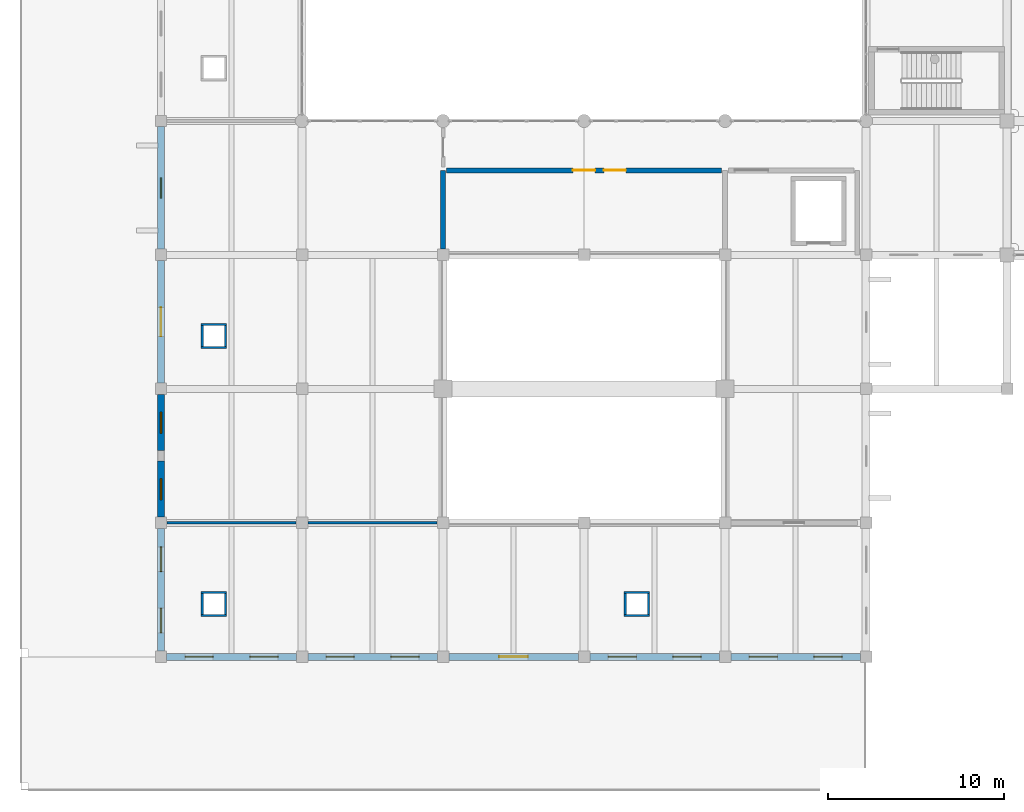
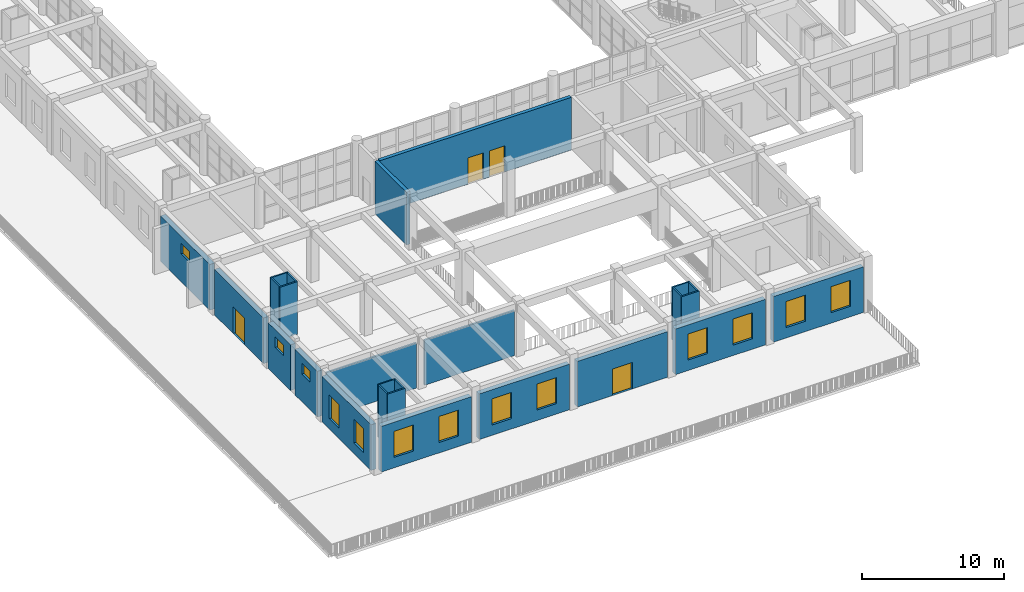
# One storey, part 71 of 101: 26 walls, 13 windows, 4 doors, 17 openings.
"""IFC4 building model written with IfcOpenShell, lengths in metres."""

from ifc_helpers import new_model, si_unit, direction, frame, frame_2d, origin, place, context, subcontext, project, spatial, rectangle, extrude, material, layer, layer_set, type_object, element, fill, save


model = new_model("IFC4")

# Units and contexts
model_context = context("Model", 3, precision=1e-05, world=origin(), true_north=direction((0.0, 1.0)))
body_context = subcontext(model_context, "Body", "Model", "MODEL_VIEW")
ifc_project = project(units=[si_unit("LENGTHUNIT", "METRE"), si_unit("AREAUNIT", "SQUARE_METRE"), si_unit("VOLUMEUNIT", "CUBIC_METRE"), si_unit("PLANEANGLEUNIT", "RADIAN"), si_unit("MASSUNIT", "GRAM", prefix="KILO")], contexts=[model_context])

# Site, building, storey
site_placement = place(None, origin())
site = spatial("IfcSite", under=ifc_project, at=site_placement, CompositionType="ELEMENT")
building_placement = place(site_placement, origin())
building = spatial("IfcBuilding", under=site, at=building_placement, Name="Zantavel Square City Hall", CompositionType="ELEMENT")
storey_placement = place(building_placement, frame((0.0, 0.0, 5.39990234375)))
storey = spatial("IfcBuildingStorey", under=building, at=storey_placement, Name="L02", CompositionType="ELEMENT", Elevation=5.39990234375)

# Wall
ifc_material_1 = material(Name="Concrete C35/45", Category="concrete")
ifc_layer_1 = layer(ifc_material_1, 0.280029296875, Name="Concrete C35/45")
ifc_layer_set_1 = layer_set([ifc_layer_1], Name="Concrete C35/45")
wall_type_1 = type_object("IfcWallType", Name="Archive & Substation Vault Wall 280mm", PredefinedType="STANDARD", material=ifc_layer_set_1)
wall_1_placement = place(storey_placement, frame((24.0, 30.735107421875, 0.0), z_axis=(0.0, 0.0, 1.0), x_axis=(0.0, 1.0, 0.0)))
element("IfcWall", 1, at=wall_1_placement, inside=storey, type_object=wall_type_1, Name="L02 Interior Wall IW-L02-0181", PredefinedType="STANDARD", context=body_context, shape_type="SweptSolid", body=[
    extrude(rectangle(XDim=4.46484375, YDim=0.280029296875, at=frame_2d((2.232421875, 0.0))), origin(), (0.0, 0.0, 1.0), 4.5400390625),
])

# Wall, openings, doors
wall_2_placement = place(storey_placement, frame((24.18994140625, 35.199951171875, 0.0), z_axis=(0.0, 0.0, 1.0), x_axis=(1.0, 0.0, 0.0)))
wall_2 = element("IfcWall", 2, at=wall_2_placement, inside=storey, type_object=wall_type_1, Name="L02 Interior Wall IW-L02-0182", PredefinedType="STANDARD", context=body_context, shape_type="SweptSolid", body=[
    extrude(rectangle(XDim=15.6201171875, YDim=0.280029296875, at=frame_2d((7.81005859375, 0.0))), origin(), (0.0, 0.0, 1.0), 4.5400390625),
])
opening_1_placement = place(wall_2_placement, frame((7.179931640625, 0.0, 0.0)))
opening_1 = element("IfcOpeningElement", 3, at=opening_1_placement, cuts=wall_2, Name="Opening D-0082", PredefinedType="OPENING", context=body_context, shape_type="SweptSolid", body=[
    extrude(rectangle(XDim=1.260009765625, YDim=2.260009765625, at=frame_2d((0.6298828125, 1.1298828125))), frame((0.0, 0.14990234375, 0.0), z_axis=(0.0, -1.0, 0.0), x_axis=(1.0, 0.0, 0.0)), (0.0, 0.0, 1.0), 0.300048828125),
])
opening_2_placement = place(wall_2_placement, frame((8.929931640625, 0.0, 0.0)))
opening_2 = element("IfcOpeningElement", 4, at=opening_2_placement, cuts=wall_2, Name="Opening D-0103", PredefinedType="OPENING", context=body_context, shape_type="SweptSolid", body=[
    extrude(rectangle(XDim=1.260009765625, YDim=2.260009765625, at=frame_2d((0.6298828125, 1.1298828125))), frame((0.0, 0.14990234375, 0.0), z_axis=(0.0, -1.0, 0.0), x_axis=(1.0, 0.0, 0.0)), (0.0, 0.0, 1.0), 0.300048828125),
])
ifc_material_2 = material(Name="Steel ASTM A500 Grade B", Category="steel")
door_type_1 = type_object("IfcDoorType", Name="Archive Conservation Fire Door 1260x2260 FD90S", OperationType="NOTDEFINED", PredefinedType="DOOR", material=ifc_material_2)
door_1_placement = place(opening_1_placement, origin())
door_1 = element("IfcDoor", 5, at=door_1_placement, inside=storey, type_object=door_type_1, Name="L02 Archive Digitization and Conservation Lab Door", OperationType="SINGLE_SWING_RIGHT", OverallHeight=2.260009765625, OverallWidth=1.260009765625, PredefinedType="DOOR", context=body_context, shape_type="SweptSolid", body=[
    extrude(rectangle(XDim=1.260009765625, YDim=2.260009765625, at=frame_2d((0.6298828125, 1.1298828125))), frame((0.0, 0.02490234375, 0.0), z_axis=(0.0, -1.0, 0.0), x_axis=(1.0, 0.0, 0.0)), (0.0, 0.0, 1.0), 0.050048828125),
])
fill(opening_1, door_1)
door_2_placement = place(opening_2_placement, origin())
door_2 = element("IfcDoor", 6, at=door_2_placement, inside=storey, type_object=door_type_1, Name="L02 Archive Digitization and Conservation Lab Door", OperationType="SINGLE_SWING_LEFT", OverallHeight=2.260009765625, OverallWidth=1.260009765625, PredefinedType="DOOR", context=body_context, shape_type="SweptSolid", body=[
    extrude(rectangle(XDim=1.260009765625, YDim=2.260009765625, at=frame_2d((0.6298828125, 1.1298828125))), frame((0.0, 0.02490234375, 0.0), z_axis=(0.0, -1.0, 0.0), x_axis=(1.0, 0.0, 0.0)), (0.0, 0.0, 1.0), 0.050048828125),
])
fill(opening_2, door_2)

# Wall, openings, windows
ifc_material_3 = material(Name="Cantera volcanic tuff stone", Category="masonry")
ifc_layer_2 = layer(ifc_material_3, 0.39990234375, Name="Cantera volcanic tuff stone")
ifc_layer_set_2 = layer_set([ifc_layer_2], Name="Cantera volcanic tuff stone")
wall_type_2 = type_object("IfcWallType", Name="Civic Pavilion Cantera Ashlar Wall 400mm", PredefinedType="STANDARD", material=ifc_layer_set_2)
wall_3_placement = place(storey_placement, frame((47.675048828125, 7.60009765625, 0.0), z_axis=(0.0, 0.0, 1.0), x_axis=(-1.0, 0.0, 0.0)))
wall_3 = element("IfcWall", 7, at=wall_3_placement, inside=storey, type_object=wall_type_2, Name="L02 Exterior Wall EW-L02-082", PredefinedType="STANDARD", context=body_context, shape_type="SweptSolid", body=[
    extrude(rectangle(XDim=7.35009765625, YDim=0.39990234375, at=frame_2d((3.675048828125, 0.0))), origin(), (0.0, 0.0, 1.0), 3.940185546875),
])
opening_3_placement = place(wall_3_placement, frame((1.03759765625, 0.0, 0.89990234375)))
opening_3 = element("IfcOpeningElement", 8, at=opening_3_placement, cuts=wall_3, Name="Opening W-263", PredefinedType="OPENING", context=body_context, shape_type="SweptSolid", body=[
    extrude(rectangle(XDim=1.60009765625, YDim=2.25, at=frame_2d((0.800048828125, 1.125))), frame((0.0, 0.2099609375, 0.0), z_axis=(0.0, -1.0, 0.0), x_axis=(1.0, 0.0, 0.0)), (0.0, 0.0, 1.0), 0.419921875),
])
opening_4_placement = place(wall_3_placement, frame((4.71240234375, 0.0, 0.89990234375)))
opening_4 = element("IfcOpeningElement", 9, at=opening_4_placement, cuts=wall_3, Name="Opening W-264", PredefinedType="OPENING", context=body_context, shape_type="SweptSolid", body=[
    extrude(rectangle(XDim=1.60009765625, YDim=2.25, at=frame_2d((0.800048828125, 1.125))), frame((0.0, 0.2099609375, 0.0), z_axis=(0.0, -1.0, 0.0), x_axis=(1.0, 0.0, 0.0)), (0.0, 0.0, 1.0), 0.419921875),
])
ifc_material_4 = material(Name="Tempered safety glass low-E double glazing", Category="glass")
window_type_1 = type_object("IfcWindowType", Name="Window Mezzanine Civic 1600x2250", PartitioningType="DOUBLE_PANEL_VERTICAL", PredefinedType="WINDOW", material=ifc_material_4)
window_1_placement = place(opening_3_placement, origin())
window_1 = element("IfcWindow", 10, at=window_1_placement, inside=storey, type_object=window_type_1, Name="L02 Window W-263", OverallHeight=2.25, OverallWidth=1.60009765625, PartitioningType="DOUBLE_PANEL_VERTICAL", PredefinedType="WINDOW", context=body_context, shape_type="SweptSolid", body=[
    extrude(rectangle(XDim=1.60009765625, YDim=2.25, at=frame_2d((0.800048828125, 1.125))), frame((0.0, 0.030029296875, 0.0), z_axis=(0.0, -1.0, 0.0), x_axis=(1.0, 0.0, 0.0)), (0.0, 0.0, 1.0), 0.06005859375),
])
fill(opening_3, window_1)
window_2_placement = place(opening_4_placement, origin())
window_2 = element("IfcWindow", 11, at=window_2_placement, inside=storey, type_object=window_type_1, Name="L02 Window W-264", OverallHeight=2.25, OverallWidth=1.60009765625, PartitioningType="DOUBLE_PANEL_VERTICAL", PredefinedType="WINDOW", context=body_context, shape_type="SweptSolid", body=[
    extrude(rectangle(XDim=1.60009765625, YDim=2.25, at=frame_2d((0.800048828125, 1.125))), frame((0.0, 0.030029296875, 0.0), z_axis=(0.0, -1.0, 0.0), x_axis=(1.0, 0.0, 0.0)), (0.0, 0.0, 1.0), 0.06005859375),
])
fill(opening_4, window_2)

wall_4_placement = place(storey_placement, frame((39.675048828125, 7.60009765625, 0.0), z_axis=(0.0, 0.0, 1.0), x_axis=(-1.0, 0.0, 0.0)))
wall_4 = element("IfcWall", 12, at=wall_4_placement, inside=storey, type_object=wall_type_2, Name="L02 Exterior Wall EW-L02-083", PredefinedType="STANDARD", context=body_context, shape_type="SweptSolid", body=[
    extrude(rectangle(XDim=7.35009765625, YDim=0.39990234375, at=frame_2d((3.675048828125, 0.0))), origin(), (0.0, 0.0, 1.0), 3.940185546875),
])
opening_5_placement = place(wall_4_placement, frame((1.03759765625, 0.0, 0.89990234375)))
opening_5 = element("IfcOpeningElement", 13, at=opening_5_placement, cuts=wall_4, Name="Opening W-265", PredefinedType="OPENING", context=body_context, shape_type="SweptSolid", body=[
    extrude(rectangle(XDim=1.60009765625, YDim=2.25, at=frame_2d((0.800048828125, 1.125))), frame((0.0, 0.2099609375, 0.0), z_axis=(0.0, -1.0, 0.0), x_axis=(1.0, 0.0, 0.0)), (0.0, 0.0, 1.0), 0.419921875),
])
opening_6_placement = place(wall_4_placement, frame((4.71240234375, 0.0, 0.89990234375)))
opening_6 = element("IfcOpeningElement", 14, at=opening_6_placement, cuts=wall_4, Name="Opening W-266", PredefinedType="OPENING", context=body_context, shape_type="SweptSolid", body=[
    extrude(rectangle(XDim=1.60009765625, YDim=2.25, at=frame_2d((0.800048828125, 1.125))), frame((0.0, 0.2099609375, 0.0), z_axis=(0.0, -1.0, 0.0), x_axis=(1.0, 0.0, 0.0)), (0.0, 0.0, 1.0), 0.419921875),
])
window_3_placement = place(opening_5_placement, origin())
window_3 = element("IfcWindow", 15, at=window_3_placement, inside=storey, type_object=window_type_1, Name="L02 Window W-265", OverallHeight=2.25, OverallWidth=1.60009765625, PartitioningType="DOUBLE_PANEL_VERTICAL", PredefinedType="WINDOW", context=body_context, shape_type="SweptSolid", body=[
    extrude(rectangle(XDim=1.60009765625, YDim=2.25, at=frame_2d((0.800048828125, 1.125))), frame((0.0, 0.030029296875, 0.0), z_axis=(0.0, -1.0, 0.0), x_axis=(1.0, 0.0, 0.0)), (0.0, 0.0, 1.0), 0.06005859375),
])
fill(opening_5, window_3)
window_4_placement = place(opening_6_placement, origin())
window_4 = element("IfcWindow", 16, at=window_4_placement, inside=storey, type_object=window_type_1, Name="L02 Window W-266", OverallHeight=2.25, OverallWidth=1.60009765625, PartitioningType="DOUBLE_PANEL_VERTICAL", PredefinedType="WINDOW", context=body_context, shape_type="SweptSolid", body=[
    extrude(rectangle(XDim=1.60009765625, YDim=2.25, at=frame_2d((0.800048828125, 1.125))), frame((0.0, 0.030029296875, 0.0), z_axis=(0.0, -1.0, 0.0), x_axis=(1.0, 0.0, 0.0)), (0.0, 0.0, 1.0), 0.06005859375),
])
fill(opening_6, window_4)

# Wall, opening, door
wall_5_placement = place(storey_placement, frame((31.675048828125, 7.60009765625, 0.0), z_axis=(0.0, 0.0, 1.0), x_axis=(-1.0, 0.0, 0.0)))
wall_5 = element("IfcWall", 17, at=wall_5_placement, inside=storey, type_object=wall_type_2, Name="L02 Exterior Wall EW-L02-084", PredefinedType="STANDARD", context=body_context, shape_type="SweptSolid", body=[
    extrude(rectangle(XDim=7.35009765625, YDim=0.39990234375, at=frame_2d((3.675048828125, 0.0))), origin(), (0.0, 0.0, 1.0), 3.940185546875),
])
opening_7_placement = place(wall_5_placement, frame((2.85498046875, 0.0, 0.0)))
opening_7 = element("IfcOpeningElement", 18, at=opening_7_placement, cuts=wall_5, Name="Opening ED-021", PredefinedType="OPENING", context=body_context, shape_type="SweptSolid", body=[
    extrude(rectangle(XDim=1.639892578125, YDim=2.280029296875, at=frame_2d((0.81982421875, 1.14013671875))), frame((0.0, 0.2099609375, 0.0), z_axis=(0.0, -1.0, 0.0), x_axis=(1.0, 0.0, 0.0)), (0.0, 0.0, 1.0), 0.419921875),
])
ifc_material_5 = material(Name="Anodised aluminium 6063-T6", Category="aluminium")
door_type_2 = type_object("IfcDoorType", Name="Promenade Terrace Glazed Door 1640x2280", OperationType="NOTDEFINED", PredefinedType="DOOR", material=ifc_material_5)
door_3_placement = place(opening_7_placement, origin())
door_3 = element("IfcDoor", 19, at=door_3_placement, inside=storey, type_object=door_type_2, Name="West Promenade South Terrace Door", OperationType="DOUBLE_DOOR_SINGLE_SWING", OverallHeight=2.280029296875, OverallWidth=1.639892578125, PredefinedType="DOOR", context=body_context, shape_type="SweptSolid", body=[
    extrude(rectangle(XDim=1.639892578125, YDim=2.280029296875, at=frame_2d((0.81982421875, 1.14013671875))), frame((0.0, 0.02490234375, 0.0), z_axis=(0.0, -1.0, 0.0), x_axis=(1.0, 0.0, 0.0)), (0.0, 0.0, 1.0), 0.050048828125),
])
fill(opening_7, door_3)

# Wall, openings, windows
wall_6_placement = place(storey_placement, frame((23.675048828125, 7.60009765625, 0.0), z_axis=(0.0, 0.0, 1.0), x_axis=(-1.0, 0.0, 0.0)))
wall_6 = element("IfcWall", 20, at=wall_6_placement, inside=storey, type_object=wall_type_2, Name="L02 Exterior Wall EW-L02-085", PredefinedType="STANDARD", context=body_context, shape_type="SweptSolid", body=[
    extrude(rectangle(XDim=7.35009765625, YDim=0.39990234375, at=frame_2d((3.675048828125, 0.0))), origin(), (0.0, 0.0, 1.0), 3.940185546875),
])
opening_8_placement = place(wall_6_placement, frame((1.03759765625, 0.0, 0.89990234375)))
opening_8 = element("IfcOpeningElement", 21, at=opening_8_placement, cuts=wall_6, Name="Opening W-267", PredefinedType="OPENING", context=body_context, shape_type="SweptSolid", body=[
    extrude(rectangle(XDim=1.60009765625, YDim=2.25, at=frame_2d((0.800048828125, 1.125))), frame((0.0, 0.2099609375, 0.0), z_axis=(0.0, -1.0, 0.0), x_axis=(1.0, 0.0, 0.0)), (0.0, 0.0, 1.0), 0.419921875),
])
opening_9_placement = place(wall_6_placement, frame((4.71240234375, 0.0, 0.89990234375)))
opening_9 = element("IfcOpeningElement", 22, at=opening_9_placement, cuts=wall_6, Name="Opening W-268", PredefinedType="OPENING", context=body_context, shape_type="SweptSolid", body=[
    extrude(rectangle(XDim=1.60009765625, YDim=2.25, at=frame_2d((0.800048828125, 1.125))), frame((0.0, 0.2099609375, 0.0), z_axis=(0.0, -1.0, 0.0), x_axis=(1.0, 0.0, 0.0)), (0.0, 0.0, 1.0), 0.419921875),
])
window_5_placement = place(opening_8_placement, origin())
window_5 = element("IfcWindow", 23, at=window_5_placement, inside=storey, type_object=window_type_1, Name="L02 Window W-267", OverallHeight=2.25, OverallWidth=1.60009765625, PartitioningType="DOUBLE_PANEL_VERTICAL", PredefinedType="WINDOW", context=body_context, shape_type="SweptSolid", body=[
    extrude(rectangle(XDim=1.60009765625, YDim=2.25, at=frame_2d((0.800048828125, 1.125))), frame((0.0, 0.030029296875, 0.0), z_axis=(0.0, -1.0, 0.0), x_axis=(1.0, 0.0, 0.0)), (0.0, 0.0, 1.0), 0.06005859375),
])
fill(opening_8, window_5)
window_6_placement = place(opening_9_placement, origin())
window_6 = element("IfcWindow", 24, at=window_6_placement, inside=storey, type_object=window_type_1, Name="L02 Window W-268", OverallHeight=2.25, OverallWidth=1.60009765625, PartitioningType="DOUBLE_PANEL_VERTICAL", PredefinedType="WINDOW", context=body_context, shape_type="SweptSolid", body=[
    extrude(rectangle(XDim=1.60009765625, YDim=2.25, at=frame_2d((0.800048828125, 1.125))), frame((0.0, 0.030029296875, 0.0), z_axis=(0.0, -1.0, 0.0), x_axis=(1.0, 0.0, 0.0)), (0.0, 0.0, 1.0), 0.06005859375),
])
fill(opening_9, window_6)

wall_7_placement = place(storey_placement, frame((15.675048828125, 7.60009765625, 0.0), z_axis=(0.0, 0.0, 1.0), x_axis=(-1.0, 0.0, 0.0)))
wall_7 = element("IfcWall", 25, at=wall_7_placement, inside=storey, type_object=wall_type_2, Name="L02 Exterior Wall EW-L02-086", PredefinedType="STANDARD", context=body_context, shape_type="SweptSolid", body=[
    extrude(rectangle(XDim=7.35009765625, YDim=0.39990234375, at=frame_2d((3.675048828125, 0.0))), origin(), (0.0, 0.0, 1.0), 3.940185546875),
])
opening_10_placement = place(wall_7_placement, frame((1.03759765625, 0.0, 0.89990234375)))
opening_10 = element("IfcOpeningElement", 26, at=opening_10_placement, cuts=wall_7, Name="Opening W-269", PredefinedType="OPENING", context=body_context, shape_type="SweptSolid", body=[
    extrude(rectangle(XDim=1.60009765625, YDim=2.25, at=frame_2d((0.800048828125, 1.125))), frame((0.0, 0.2099609375, 0.0), z_axis=(0.0, -1.0, 0.0), x_axis=(1.0, 0.0, 0.0)), (0.0, 0.0, 1.0), 0.419921875),
])
opening_11_placement = place(wall_7_placement, frame((4.71240234375, 0.0, 0.89990234375)))
opening_11 = element("IfcOpeningElement", 27, at=opening_11_placement, cuts=wall_7, Name="Opening W-270", PredefinedType="OPENING", context=body_context, shape_type="SweptSolid", body=[
    extrude(rectangle(XDim=1.60009765625, YDim=2.25, at=frame_2d((0.800048828125, 1.125))), frame((0.0, 0.2099609375, 0.0), z_axis=(0.0, -1.0, 0.0), x_axis=(1.0, 0.0, 0.0)), (0.0, 0.0, 1.0), 0.419921875),
])
window_7_placement = place(opening_10_placement, origin())
window_7 = element("IfcWindow", 28, at=window_7_placement, inside=storey, type_object=window_type_1, Name="L02 Window W-269", OverallHeight=2.25, OverallWidth=1.60009765625, PartitioningType="DOUBLE_PANEL_VERTICAL", PredefinedType="WINDOW", context=body_context, shape_type="SweptSolid", body=[
    extrude(rectangle(XDim=1.60009765625, YDim=2.25, at=frame_2d((0.800048828125, 1.125))), frame((0.0, 0.030029296875, 0.0), z_axis=(0.0, -1.0, 0.0), x_axis=(1.0, 0.0, 0.0)), (0.0, 0.0, 1.0), 0.06005859375),
])
fill(opening_10, window_7)
window_8_placement = place(opening_11_placement, origin())
window_8 = element("IfcWindow", 29, at=window_8_placement, inside=storey, type_object=window_type_1, Name="L02 Window W-270", OverallHeight=2.25, OverallWidth=1.60009765625, PartitioningType="DOUBLE_PANEL_VERTICAL", PredefinedType="WINDOW", context=body_context, shape_type="SweptSolid", body=[
    extrude(rectangle(XDim=1.60009765625, YDim=2.25, at=frame_2d((0.800048828125, 1.125))), frame((0.0, 0.030029296875, 0.0), z_axis=(0.0, -1.0, 0.0), x_axis=(1.0, 0.0, 0.0)), (0.0, 0.0, 1.0), 0.06005859375),
])
fill(opening_11, window_8)

wall_8_placement = place(storey_placement, frame((8.0, 7.925048828125, 0.0), z_axis=(0.0, 0.0, 1.0), x_axis=(0.0, 1.0, 0.0)))
wall_8 = element("IfcWall", 30, at=wall_8_placement, inside=storey, type_object=wall_type_2, Name="L02 Exterior Wall EW-L02-087", PredefinedType="STANDARD", context=body_context, shape_type="SweptSolid", body=[
    extrude(rectangle(XDim=6.949951171875, YDim=0.39990234375, at=frame_2d((3.47509765625, 0.0))), origin(), (0.0, 0.0, 1.0), 3.940185546875),
])
opening_12_placement = place(wall_8_placement, frame((1.03759765625, 0.0, 0.89990234375)))
opening_12 = element("IfcOpeningElement", 31, at=opening_12_placement, cuts=wall_8, Name="Opening W-271", PredefinedType="OPENING", context=body_context, shape_type="SweptSolid", body=[
    extrude(rectangle(XDim=1.39990234375, YDim=2.050048828125, at=frame_2d((0.699951171875, 1.02490234375))), frame((0.0, 0.2099609375, 0.0), z_axis=(0.0, -1.0, 0.0), x_axis=(1.0, 0.0, 0.0)), (0.0, 0.0, 1.0), 0.419921875),
])
opening_13_placement = place(wall_8_placement, frame((4.512451171875, 0.0, 0.89990234375)))
opening_13 = element("IfcOpeningElement", 32, at=opening_13_placement, cuts=wall_8, Name="Opening W-272", PredefinedType="OPENING", context=body_context, shape_type="SweptSolid", body=[
    extrude(rectangle(XDim=1.39990234375, YDim=2.050048828125, at=frame_2d((0.699951171875, 1.02490234375))), frame((0.0, 0.2099609375, 0.0), z_axis=(0.0, -1.0, 0.0), x_axis=(1.0, 0.0, 0.0)), (0.0, 0.0, 1.0), 0.419921875),
])
window_type_2 = type_object("IfcWindowType", Name="Window Mezzanine Courtyard 1400x2050", PartitioningType="DOUBLE_PANEL_VERTICAL", PredefinedType="WINDOW", material=ifc_material_4)
window_9_placement = place(opening_12_placement, origin())
window_9 = element("IfcWindow", 33, at=window_9_placement, inside=storey, type_object=window_type_2, Name="L02 Window W-271", OverallHeight=2.050048828125, OverallWidth=1.39990234375, PartitioningType="DOUBLE_PANEL_VERTICAL", PredefinedType="WINDOW", context=body_context, shape_type="SweptSolid", body=[
    extrude(rectangle(XDim=1.39990234375, YDim=2.050048828125, at=frame_2d((0.699951171875, 1.02490234375))), frame((0.0, 0.030029296875, 0.0), z_axis=(0.0, -1.0, 0.0), x_axis=(1.0, 0.0, 0.0)), (0.0, 0.0, 1.0), 0.06005859375),
])
fill(opening_12, window_9)
window_10_placement = place(opening_13_placement, origin())
window_10 = element("IfcWindow", 34, at=window_10_placement, inside=storey, type_object=window_type_2, Name="L02 Window W-272", OverallHeight=2.050048828125, OverallWidth=1.39990234375, PartitioningType="DOUBLE_PANEL_VERTICAL", PredefinedType="WINDOW", context=body_context, shape_type="SweptSolid", body=[
    extrude(rectangle(XDim=1.39990234375, YDim=2.050048828125, at=frame_2d((0.699951171875, 1.02490234375))), frame((0.0, 0.030029296875, 0.0), z_axis=(0.0, -1.0, 0.0), x_axis=(1.0, 0.0, 0.0)), (0.0, 0.0, 1.0), 0.06005859375),
])
fill(opening_13, window_10)

# Wall, opening, window
wall_9_placement = place(storey_placement, frame((8.0, 15.52490234375, 0.0), z_axis=(0.0, 0.0, 1.0), x_axis=(0.0, 1.0, 0.0)))
wall_9 = element("IfcWall", 35, at=wall_9_placement, inside=storey, type_object=wall_type_2, Name="L02 Exterior Wall EW-L02-088", PredefinedType="STANDARD", context=body_context, shape_type="SweptSolid", body=[
    extrude(rectangle(XDim=3.175048828125, YDim=0.39990234375, at=frame_2d((1.58740234375, 0.0))), origin(), (0.0, 0.0, 1.0), 3.940185546875),
])
opening_14_placement = place(wall_9_placement, frame((0.99755859375, 0.0, 2.39990234375)))
opening_14 = element("IfcOpeningElement", 36, at=opening_14_placement, cuts=wall_9, Name="Opening W-273", PredefinedType="OPENING", context=body_context, shape_type="SweptSolid", body=[
    extrude(rectangle(XDim=1.179931640625, YDim=0.919921875, at=frame_2d((0.58984375, 0.4599609375))), frame((0.0, 0.2099609375, 0.0), z_axis=(0.0, -1.0, 0.0), x_axis=(1.0, 0.0, 0.0)), (0.0, 0.0, 1.0), 0.419921875),
])
window_type_3 = type_object("IfcWindowType", Name="Window Archive North Clerestory 1180x920", PartitioningType="SINGLE_PANEL", PredefinedType="WINDOW", material=ifc_material_4)
window_11_placement = place(opening_14_placement, origin())
window_11 = element("IfcWindow", 37, at=window_11_placement, inside=storey, type_object=window_type_3, Name="L02 Window W-273", OverallHeight=0.919921875, OverallWidth=1.179931640625, PartitioningType="SINGLE_PANEL", PredefinedType="WINDOW", context=body_context, shape_type="SweptSolid", body=[
    extrude(rectangle(XDim=1.179931640625, YDim=0.919921875, at=frame_2d((0.58984375, 0.4599609375))), frame((0.0, 0.030029296875, 0.0), z_axis=(0.0, -1.0, 0.0), x_axis=(1.0, 0.0, 0.0)), (0.0, 0.0, 1.0), 0.06005859375),
])
fill(opening_14, window_11)

wall_10_placement = place(storey_placement, frame((8.0, 19.300048828125, 0.0), z_axis=(0.0, 0.0, 1.0), x_axis=(0.0, 1.0, 0.0)))
wall_10 = element("IfcWall", 38, at=wall_10_placement, inside=storey, type_object=wall_type_2, Name="L02 Exterior Wall EW-L02-089", PredefinedType="STANDARD", context=body_context, shape_type="SweptSolid", body=[
    extrude(rectangle(XDim=3.175048828125, YDim=0.39990234375, at=frame_2d((1.58740234375, 0.0))), origin(), (0.0, 0.0, 1.0), 3.940185546875),
])
opening_15_placement = place(wall_10_placement, frame((0.99755859375, 0.0, 2.39990234375)))
opening_15 = element("IfcOpeningElement", 39, at=opening_15_placement, cuts=wall_10, Name="Opening W-274", PredefinedType="OPENING", context=body_context, shape_type="SweptSolid", body=[
    extrude(rectangle(XDim=1.179931640625, YDim=0.919921875, at=frame_2d((0.58984375, 0.4599609375))), frame((0.0, 0.2099609375, 0.0), z_axis=(0.0, -1.0, 0.0), x_axis=(1.0, 0.0, 0.0)), (0.0, 0.0, 1.0), 0.419921875),
])
window_12_placement = place(opening_15_placement, origin())
window_12 = element("IfcWindow", 40, at=window_12_placement, inside=storey, type_object=window_type_3, Name="L02 Window W-274", OverallHeight=0.919921875, OverallWidth=1.179931640625, PartitioningType="SINGLE_PANEL", PredefinedType="WINDOW", context=body_context, shape_type="SweptSolid", body=[
    extrude(rectangle(XDim=1.179931640625, YDim=0.919921875, at=frame_2d((0.58984375, 0.4599609375))), frame((0.0, 0.030029296875, 0.0), z_axis=(0.0, -1.0, 0.0), x_axis=(1.0, 0.0, 0.0)), (0.0, 0.0, 1.0), 0.06005859375),
])
fill(opening_15, window_12)

# Wall, opening, door
wall_11_placement = place(storey_placement, frame((8.0, 23.125, 0.0), z_axis=(0.0, 0.0, 1.0), x_axis=(0.0, 1.0, 0.0)))
wall_11 = element("IfcWall", 41, at=wall_11_placement, inside=storey, type_object=wall_type_2, Name="L02 Exterior Wall EW-L02-090", PredefinedType="STANDARD", context=body_context, shape_type="SweptSolid", body=[
    extrude(rectangle(XDim=6.949951171875, YDim=0.39990234375, at=frame_2d((3.47509765625, 0.0))), origin(), (0.0, 0.0, 1.0), 3.940185546875),
])
opening_16_placement = place(wall_11_placement, frame((2.655029296875, 0.0, 0.0)))
opening_16 = element("IfcOpeningElement", 42, at=opening_16_placement, cuts=wall_11, Name="Opening ED-022", PredefinedType="OPENING", context=body_context, shape_type="SweptSolid", body=[
    extrude(rectangle(XDim=1.639892578125, YDim=2.280029296875, at=frame_2d((0.81982421875, 1.14013671875))), frame((0.0, 0.2099609375, 0.0), z_axis=(0.0, -1.0, 0.0), x_axis=(1.0, 0.0, 0.0)), (0.0, 0.0, 1.0), 0.419921875),
])
door_4_placement = place(opening_16_placement, origin())
door_4 = element("IfcDoor", 43, at=door_4_placement, inside=storey, type_object=door_type_2, Name="West Promenade Lateral Terrace Door", OperationType="DOUBLE_DOOR_SINGLE_SWING", OverallHeight=2.280029296875, OverallWidth=1.639892578125, PredefinedType="DOOR", context=body_context, shape_type="SweptSolid", body=[
    extrude(rectangle(XDim=1.639892578125, YDim=2.280029296875, at=frame_2d((0.81982421875, 1.14013671875))), frame((0.0, 0.02490234375, 0.0), z_axis=(0.0, -1.0, 0.0), x_axis=(1.0, 0.0, 0.0)), (0.0, 0.0, 1.0), 0.050048828125),
])
fill(opening_16, door_4)

# Wall, opening, window
wall_12_placement = place(storey_placement, frame((8.0, 30.72509765625, 0.0), z_axis=(0.0, 0.0, 1.0), x_axis=(0.0, 1.0, 0.0)))
wall_12 = element("IfcWall", 44, at=wall_12_placement, inside=storey, type_object=wall_type_2, Name="L02 Exterior Wall EW-L02-091", PredefinedType="STANDARD", context=body_context, shape_type="SweptSolid", body=[
    extrude(rectangle(XDim=6.949951171875, YDim=0.39990234375, at=frame_2d((3.47509765625, 0.0))), origin(), (0.0, 0.0, 1.0), 3.940185546875),
])
opening_17_placement = place(wall_12_placement, frame((2.885009765625, 0.0, 2.39990234375)))
opening_17 = element("IfcOpeningElement", 45, at=opening_17_placement, cuts=wall_12, Name="Opening W-275", PredefinedType="OPENING", context=body_context, shape_type="SweptSolid", body=[
    extrude(rectangle(XDim=1.179931640625, YDim=0.919921875, at=frame_2d((0.58984375, 0.4599609375))), frame((0.0, 0.2099609375, 0.0), z_axis=(0.0, -1.0, 0.0), x_axis=(1.0, 0.0, 0.0)), (0.0, 0.0, 1.0), 0.419921875),
])
window_13_placement = place(opening_17_placement, origin())
window_13 = element("IfcWindow", 46, at=window_13_placement, inside=storey, type_object=window_type_3, Name="L02 Window W-275", OverallHeight=0.919921875, OverallWidth=1.179931640625, PartitioningType="SINGLE_PANEL", PredefinedType="WINDOW", context=body_context, shape_type="SweptSolid", body=[
    extrude(rectangle(XDim=1.179931640625, YDim=0.919921875, at=frame_2d((0.58984375, 0.4599609375))), frame((0.0, 0.030029296875, 0.0), z_axis=(0.0, -1.0, 0.0), x_axis=(1.0, 0.0, 0.0)), (0.0, 0.0, 1.0), 0.06005859375),
])
fill(opening_17, window_13)

# Walls
ifc_material_6 = material(Name="Gypsum acoustic stud assembly", Category="masonry")
ifc_layer_3 = layer(ifc_material_6, 0.14990234375, Name="Gypsum acoustic stud assembly")
ifc_layer_set_3 = layer_set([ifc_layer_3], Name="Gypsum acoustic stud assembly")
wall_type_3 = type_object("IfcWallType", Name="Department Office Partition 150mm", PredefinedType="PARTITIONING", material=ifc_layer_set_3)
for number, where, z_axis, x_axis, name in (
    (47, (23.6650390625, 15.199951171875, 0.0), (0.0, 0.0, 1.0), (-1.0, 0.0, 0.0), "L02 Interior Wall IW-L02-0209"),
    (48, (15.6650390625, 15.199951171875, 0.0), (0.0, 0.0, 1.0), (-1.0, 0.0, 0.0), "L02 Interior Wall IW-L02-0210"),
):
    element("IfcWall", number, at=place(storey_placement, frame(where, z_axis=z_axis, x_axis=x_axis)), inside=storey, type_object=wall_type_3, Name=name, PredefinedType="PARTITIONING", context=body_context, shape_type="SweptSolid", body=[
        extrude(rectangle(XDim=7.330078125, YDim=0.14990234375, at=frame_2d((3.6650390625, 0.0))), origin(), (0.0, 0.0, 1.0), 3.89013671875),
    ])
ifc_layer_4 = layer(ifc_material_1, 0.1201171875, Name="Concrete C35/45")
ifc_layer_set_4 = layer_set([ifc_layer_4], Name="Concrete C35/45")
wall_type_4 = type_object("IfcWallType", Name="Riser Chase Wall RC 120mm C35/45", PredefinedType="PARTITIONING", material=ifc_layer_set_4)
wall_13_placement = place(storey_placement, frame((11.719970703125, 9.93994140625, 0.0), z_axis=(0.0, 0.0, 1.0), x_axis=(-1.0, 0.0, 0.0)))
element("IfcWall", 49, at=wall_13_placement, inside=storey, type_object=wall_type_4, Name="L02 MEP Riser 11 Wall S", PredefinedType="PARTITIONING", context=body_context, shape_type="SweptSolid", body=[
    extrude(rectangle(XDim=1.43994140625, YDim=0.1201171875, at=frame_2d((0.719970703125, 0.0))), origin(), (0.0, 0.0, 1.0), 4.5400390625),
])
wall_14_placement = place(storey_placement, frame((10.340087890625, 10.0, 0.0), z_axis=(0.0, 0.0, 1.0), x_axis=(0.0, 1.0, 0.0)))
element("IfcWall", 50, at=wall_14_placement, inside=storey, type_object=wall_type_4, Name="L02 MEP Riser 11 Wall W", PredefinedType="PARTITIONING", context=body_context, shape_type="SweptSolid", body=[
    extrude(rectangle(XDim=1.199951171875, YDim=0.1201171875, at=frame_2d((0.60009765625, 0.0))), origin(), (0.0, 0.0, 1.0), 4.5400390625),
])
wall_15_placement = place(storey_placement, frame((10.280029296875, 11.260009765625, 0.0), z_axis=(0.0, 0.0, 1.0), x_axis=(1.0, 0.0, 0.0)))
element("IfcWall", 51, at=wall_15_placement, inside=storey, type_object=wall_type_4, Name="L02 MEP Riser 11 Wall N", PredefinedType="PARTITIONING", context=body_context, shape_type="SweptSolid", body=[
    extrude(rectangle(XDim=1.43994140625, YDim=0.1201171875, at=frame_2d((0.719970703125, 0.0))), origin(), (0.0, 0.0, 1.0), 4.5400390625),
])
wall_16_placement = place(storey_placement, frame((11.659912109375, 11.199951171875, 0.0), z_axis=(0.0, 0.0, 1.0), x_axis=(0.0, -1.0, 0.0)))
element("IfcWall", 52, at=wall_16_placement, inside=storey, type_object=wall_type_4, Name="L02 MEP Riser 11 Wall E", PredefinedType="PARTITIONING", context=body_context, shape_type="SweptSolid", body=[
    extrude(rectangle(XDim=1.199951171875, YDim=0.1201171875, at=frame_2d((0.60009765625, 0.0))), origin(), (0.0, 0.0, 1.0), 4.5400390625),
])
wall_17_placement = place(storey_placement, frame((35.719970703125, 9.93994140625, 0.0), z_axis=(0.0, 0.0, 1.0), x_axis=(-1.0, 0.0, 0.0)))
element("IfcWall", 53, at=wall_17_placement, inside=storey, type_object=wall_type_4, Name="L02 MEP Riser 12 Wall S", PredefinedType="PARTITIONING", context=body_context, shape_type="SweptSolid", body=[
    extrude(rectangle(XDim=1.43994140625, YDim=0.1201171875, at=frame_2d((0.719970703125, 0.0))), origin(), (0.0, 0.0, 1.0), 4.5400390625),
])
wall_18_placement = place(storey_placement, frame((34.340087890625, 10.0, 0.0), z_axis=(0.0, 0.0, 1.0), x_axis=(0.0, 1.0, 0.0)))
element("IfcWall", 54, at=wall_18_placement, inside=storey, type_object=wall_type_4, Name="L02 MEP Riser 12 Wall W", PredefinedType="PARTITIONING", context=body_context, shape_type="SweptSolid", body=[
    extrude(rectangle(XDim=1.199951171875, YDim=0.1201171875, at=frame_2d((0.60009765625, 0.0))), origin(), (0.0, 0.0, 1.0), 4.5400390625),
])
wall_19_placement = place(storey_placement, frame((34.280029296875, 11.260009765625, 0.0), z_axis=(0.0, 0.0, 1.0), x_axis=(1.0, 0.0, 0.0)))
element("IfcWall", 55, at=wall_19_placement, inside=storey, type_object=wall_type_4, Name="L02 MEP Riser 12 Wall N", PredefinedType="PARTITIONING", context=body_context, shape_type="SweptSolid", body=[
    extrude(rectangle(XDim=1.43994140625, YDim=0.1201171875, at=frame_2d((0.719970703125, 0.0))), origin(), (0.0, 0.0, 1.0), 4.5400390625),
])
wall_20_placement = place(storey_placement, frame((35.659912109375, 11.199951171875, 0.0), z_axis=(0.0, 0.0, 1.0), x_axis=(0.0, -1.0, 0.0)))
element("IfcWall", 56, at=wall_20_placement, inside=storey, type_object=wall_type_4, Name="L02 MEP Riser 12 Wall E", PredefinedType="PARTITIONING", context=body_context, shape_type="SweptSolid", body=[
    extrude(rectangle(XDim=1.199951171875, YDim=0.1201171875, at=frame_2d((0.60009765625, 0.0))), origin(), (0.0, 0.0, 1.0), 4.5400390625),
])
wall_21_placement = place(storey_placement, frame((11.719970703125, 25.139892578125, 0.0), z_axis=(0.0, 0.0, 1.0), x_axis=(-1.0, 0.0, 0.0)))
element("IfcWall", 57, at=wall_21_placement, inside=storey, type_object=wall_type_4, Name="L02 MEP Riser 13 Wall S", PredefinedType="PARTITIONING", context=body_context, shape_type="SweptSolid", body=[
    extrude(rectangle(XDim=1.43994140625, YDim=0.1201171875, at=frame_2d((0.719970703125, 0.0))), origin(), (0.0, 0.0, 1.0), 4.5400390625),
])
wall_22_placement = place(storey_placement, frame((10.340087890625, 25.199951171875, 0.0), z_axis=(0.0, 0.0, 1.0), x_axis=(0.0, 1.0, 0.0)))
element("IfcWall", 58, at=wall_22_placement, inside=storey, type_object=wall_type_4, Name="L02 MEP Riser 13 Wall W", PredefinedType="PARTITIONING", context=body_context, shape_type="SweptSolid", body=[
    extrude(rectangle(XDim=1.199951171875, YDim=0.1201171875, at=frame_2d((0.60009765625, 0.0))), origin(), (0.0, 0.0, 1.0), 4.5400390625),
])
wall_23_placement = place(storey_placement, frame((10.280029296875, 26.4599609375, 0.0), z_axis=(0.0, 0.0, 1.0), x_axis=(1.0, 0.0, 0.0)))
element("IfcWall", 59, at=wall_23_placement, inside=storey, type_object=wall_type_4, Name="L02 MEP Riser 13 Wall N", PredefinedType="PARTITIONING", context=body_context, shape_type="SweptSolid", body=[
    extrude(rectangle(XDim=1.43994140625, YDim=0.1201171875, at=frame_2d((0.719970703125, 0.0))), origin(), (0.0, 0.0, 1.0), 4.5400390625),
])
wall_24_placement = place(storey_placement, frame((11.659912109375, 26.39990234375, 0.0), z_axis=(0.0, 0.0, 1.0), x_axis=(0.0, -1.0, 0.0)))
element("IfcWall", 60, at=wall_24_placement, inside=storey, type_object=wall_type_4, Name="L02 MEP Riser 13 Wall E", PredefinedType="PARTITIONING", context=body_context, shape_type="SweptSolid", body=[
    extrude(rectangle(XDim=1.199951171875, YDim=0.1201171875, at=frame_2d((0.60009765625, 0.0))), origin(), (0.0, 0.0, 1.0), 4.5400390625),
])

save(model, "model.ifc")
